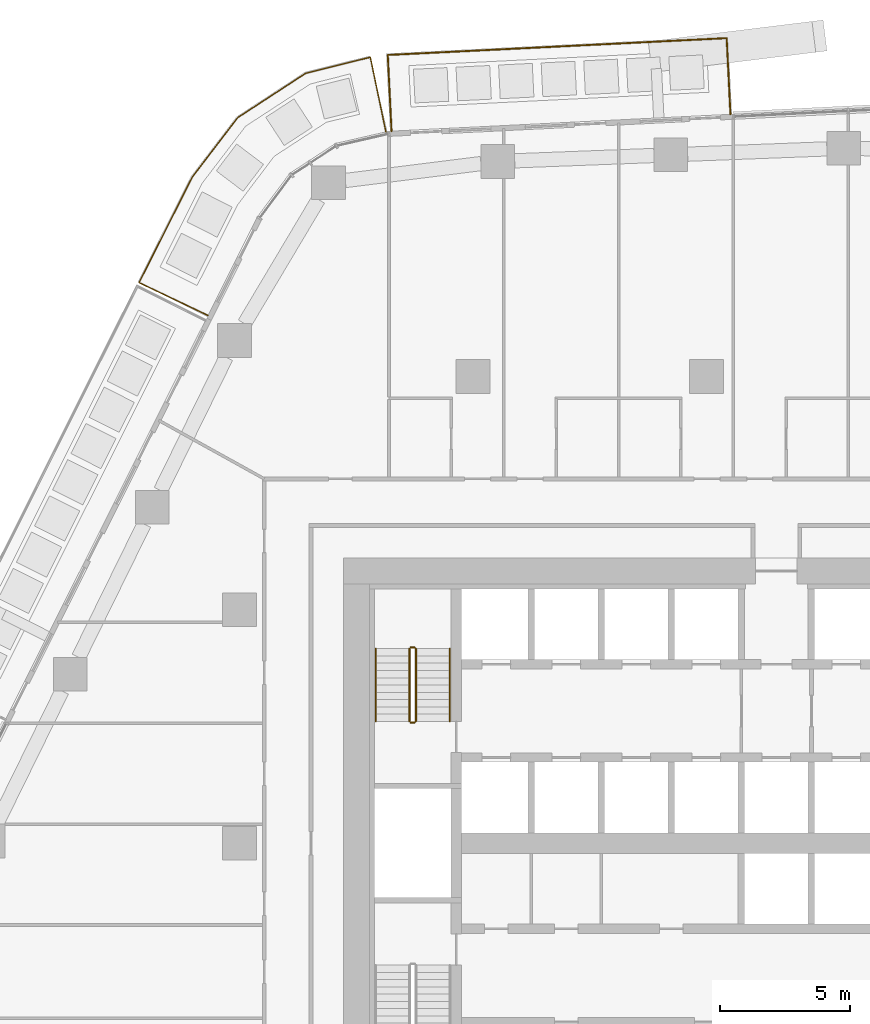
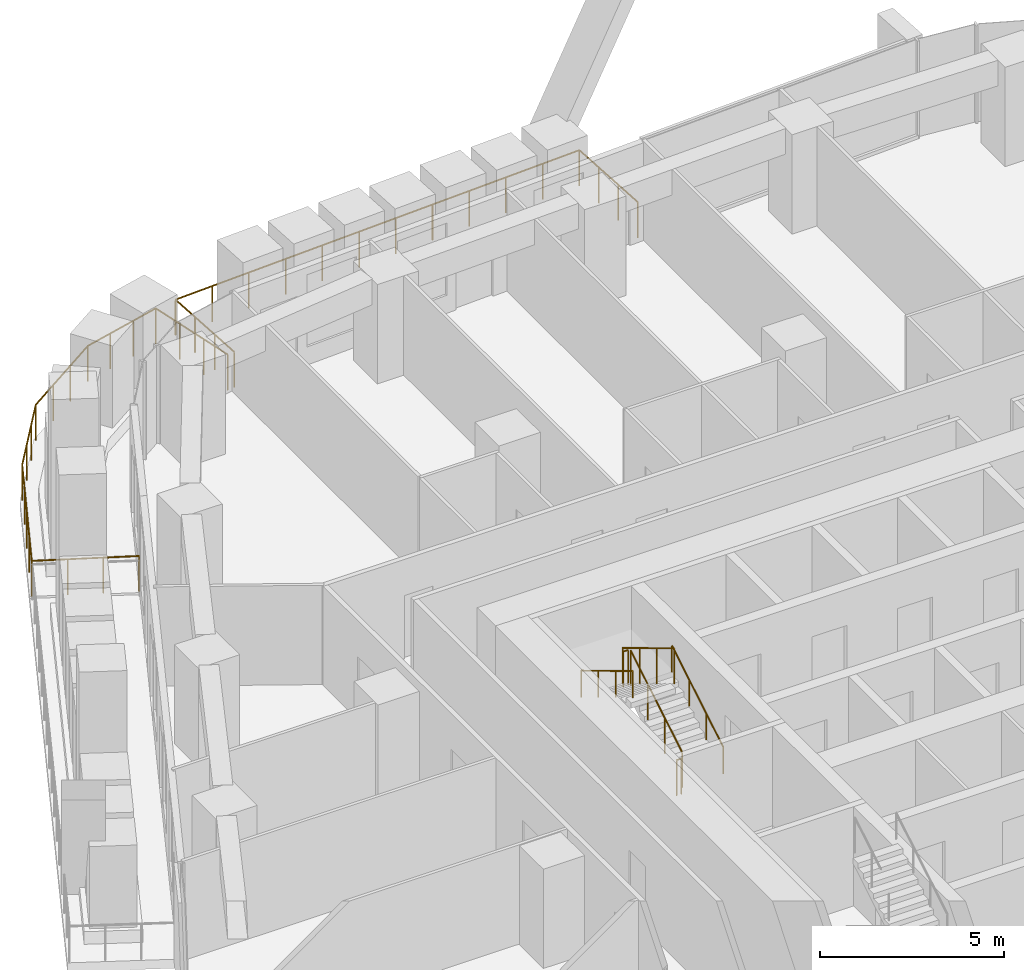
# One storey, part 23 of 25: 8 railings.
"""IFC4 building model written with IfcOpenShell, lengths in metres."""

from ifc_helpers import new_model, si_unit, direction, frame, origin, origin_2d, place, context, subcontext, project, spatial, circle, extrude, material, type_object, element, save


model = new_model("IFC4")

# Units and contexts
model_context = context("Model", 3, precision=1e-05, world=origin(), true_north=direction((0.0, 1.0)))
body_context = subcontext(model_context, "Body", "Model", "MODEL_VIEW")
ifc_project = project(units=[si_unit("LENGTHUNIT", "METRE"), si_unit("AREAUNIT", "SQUARE_METRE"), si_unit("VOLUMEUNIT", "CUBIC_METRE"), si_unit("PLANEANGLEUNIT", "RADIAN"), si_unit("MASSUNIT", "GRAM", prefix="KILO")], contexts=[model_context])

# Site, building, storey
site_placement = place(None, origin())
site = spatial("IfcSite", under=ifc_project, at=site_placement, CompositionType="ELEMENT")
building_placement = place(site_placement, origin())
building = spatial("IfcBuilding", under=site, at=building_placement, Name="Dongbaek Canopy Tower", CompositionType="ELEMENT")
storey_placement = place(building_placement, frame((0.0, 0.0, 102.60009765625)))
storey = spatial("IfcBuildingStorey", under=building, at=storey_placement, Name="L21", CompositionType="ELEMENT", Elevation=102.60009765625)

# Railings
ifc_material_1 = material(Name="Stainless steel", Category="steel")
railing_type_1 = type_object("IfcRailingType", Name="Balcony balustrade 1200", PredefinedType="BALUSTRADE", material=ifc_material_1)
railing_1_placement = place(storey_placement, frame((0.927490234375, 28.10693359375, 0.0)))
element("IfcRailing", 1, at=railing_1_placement, inside=storey, type_object=railing_type_1, Name="Balcony guard L21 2", PredefinedType="BALUSTRADE", context=body_context, shape_type="SweptSolid", body=[
    extrude(circle(Radius=0.02392578125, at=origin_2d()), frame((0.0, 0.0, 1.17578125), z_axis=(-0.049573161416, 0.998770494992, 0.0), x_axis=(-0.998770494992, -0.049573161416, 0.0)), (0.0, 0.0, 1.0), 2.940185546875),
    extrude(circle(Radius=0.02392578125, at=origin_2d()), frame((-0.145751953125, 2.9365234375, 1.17578125), z_axis=(-0.998772357808, -0.049535616267, 0.0), x_axis=(0.049535616267, -0.998772357808, 0.0)), (0.0, 0.0, 1.0), 13.08544921875),
    extrude(circle(Radius=0.02392578125, at=origin_2d()), frame((-13.215087890625, 2.288330078125, 1.17578125), z_axis=(0.049490327847, -0.998774602926, 0.0), x_axis=(0.998774602926, 0.049490327847, 0.0)), (0.0, 0.0, 1.0), 2.940185546875),
    extrude(circle(Radius=0.02099609375, at=origin_2d()), origin(), (0.0, 0.0, 1.0), 1.15185546875),
    extrude(circle(Radius=0.02099609375, at=origin_2d()), frame((-0.048583984375, 0.978759765625, 0.0)), (0.0, 0.0, 1.0), 1.15185546875),
    extrude(circle(Radius=0.02099609375, at=origin_2d()), frame((-0.09716796875, 1.957763671875, 0.0)), (0.0, 0.0, 1.0), 1.15185546875),
    extrude(circle(Radius=0.02099609375, at=origin_2d()), frame((-0.145751953125, 2.9365234375, 0.0)), (0.0, 0.0, 1.0), 1.15185546875),
    extrude(circle(Radius=0.02099609375, at=origin_2d()), frame((-1.333984375, 2.877685546875, 0.0)), (0.0, 0.0, 1.0), 1.15185546875),
    extrude(circle(Radius=0.02099609375, at=origin_2d()), frame((-2.52197265625, 2.818603515625, 0.0)), (0.0, 0.0, 1.0), 1.15185546875),
    extrude(circle(Radius=0.02099609375, at=origin_2d()), frame((-3.710205078125, 2.759765625, 0.0)), (0.0, 0.0, 1.0), 1.15185546875),
    extrude(circle(Radius=0.02099609375, at=origin_2d()), frame((-4.898193359375, 2.700927734375, 0.0)), (0.0, 0.0, 1.0), 1.15185546875),
    extrude(circle(Radius=0.02099609375, at=origin_2d()), frame((-6.08642578125, 2.641845703125, 0.0)), (0.0, 0.0, 1.0), 1.15185546875),
    extrude(circle(Radius=0.02099609375, at=origin_2d()), frame((-7.2744140625, 2.5830078125, 0.0)), (0.0, 0.0, 1.0), 1.15185546875),
    extrude(circle(Radius=0.02099609375, at=origin_2d()), frame((-8.462646484375, 2.52392578125, 0.0)), (0.0, 0.0, 1.0), 1.15185546875),
    extrude(circle(Radius=0.02099609375, at=origin_2d()), frame((-9.650634765625, 2.465087890625, 0.0)), (0.0, 0.0, 1.0), 1.15185546875),
    extrude(circle(Radius=0.02099609375, at=origin_2d()), frame((-10.8388671875, 2.40625, 0.0)), (0.0, 0.0, 1.0), 1.15185546875),
    extrude(circle(Radius=0.02099609375, at=origin_2d()), frame((-12.02685546875, 2.34716796875, 0.0)), (0.0, 0.0, 1.0), 1.15185546875),
    extrude(circle(Radius=0.02099609375, at=origin_2d()), frame((-13.215087890625, 2.288330078125, 0.0)), (0.0, 0.0, 1.0), 1.15185546875),
    extrude(circle(Radius=0.02099609375, at=origin_2d()), frame((-13.16650390625, 1.3095703125, 0.0)), (0.0, 0.0, 1.0), 1.15185546875),
    extrude(circle(Radius=0.02099609375, at=origin_2d()), frame((-13.1181640625, 0.33056640625, 0.0)), (0.0, 0.0, 1.0), 1.15185546875),
    extrude(circle(Radius=0.02099609375, at=origin_2d()), frame((-13.069580078125, -0.648193359375, 0.0)), (0.0, 0.0, 1.0), 1.15185546875),
])
railing_2_placement = place(storey_placement, frame((-12.359130859375, 27.4287109375, 0.0)))
element("IfcRailing", 2, at=railing_2_placement, inside=storey, type_object=railing_type_1, Name="Balcony guard L21 7", PredefinedType="BALUSTRADE", context=body_context, shape_type="SweptSolid", body=[
    extrude(circle(Radius=0.02392578125, at=origin_2d()), frame((0.0, 0.0, 1.17578125), z_axis=(-0.203821636355, 0.979008039065, 0.0), x_axis=(-0.979008039065, -0.203821636355, 0.0)), (0.0, 0.0, 1.0), 2.940673828125),
    extrude(circle(Radius=0.02392578125, at=origin_2d()), frame((-0.599365234375, 2.87890625, 1.17578125), z_axis=(-0.970527127867, -0.240991896282, 0.0), x_axis=(0.240991896282, -0.970527127867, 0.0)), (0.0, 0.0, 1.0), 2.568115234375),
    extrude(circle(Radius=0.02392578125, at=origin_2d()), frame((-3.091796875, 2.260009765625, 1.17578125), z_axis=(-0.837559434191, -0.546346221912, 0.0), x_axis=(0.546346221912, -0.837559434191, 0.0)), (0.0, 0.0, 1.0), 3.133056640625),
    extrude(circle(Radius=0.02392578125, at=origin_2d()), frame((-5.7158203125, 0.54833984375, 1.17578125), z_axis=(-0.607172847411, -0.79456977879, 0.0), x_axis=(0.79456977879, -0.607172847411, 0.0)), (0.0, 0.0, 1.0), 2.87646484375),
    extrude(circle(Radius=0.02392578125, at=origin_2d()), frame((-7.46240234375, -1.7373046875, 1.17578125), z_axis=(-0.450184545621, -0.892935537922, 0.0), x_axis=(0.892935537922, -0.450184545621, 0.0)), (0.0, 0.0, 1.0), 4.565185546875),
    extrude(circle(Radius=0.02392578125, at=origin_2d()), frame((-9.517578125, -5.813720703125, 1.17578125), z_axis=(0.90303845694, -0.429559710969, 0.0), x_axis=(0.429559710969, 0.90303845694, 0.0)), (0.0, 0.0, 1.0), 2.940673828125),
    extrude(circle(Radius=0.02099609375, at=origin_2d()), origin(), (0.0, 0.0, 1.0), 1.15185546875),
    extrude(circle(Radius=0.02099609375, at=origin_2d()), frame((-0.19970703125, 0.959716796875, 0.0)), (0.0, 0.0, 1.0), 1.15185546875),
    extrude(circle(Radius=0.02099609375, at=origin_2d()), frame((-0.399658203125, 1.919189453125, 0.0)), (0.0, 0.0, 1.0), 1.15185546875),
    extrude(circle(Radius=0.02099609375, at=origin_2d()), frame((-0.599365234375, 2.87890625, 0.0)), (0.0, 0.0, 1.0), 1.15185546875),
    extrude(circle(Radius=0.02099609375, at=origin_2d()), frame((-1.43017578125, 2.672607421875, 0.0)), (0.0, 0.0, 1.0), 1.15185546875),
    extrude(circle(Radius=0.02099609375, at=origin_2d()), frame((-2.260986328125, 2.46630859375, 0.0)), (0.0, 0.0, 1.0), 1.15185546875),
    extrude(circle(Radius=0.02099609375, at=origin_2d()), frame((-3.091796875, 2.260009765625, 0.0)), (0.0, 0.0, 1.0), 1.15185546875),
    extrude(circle(Radius=0.02099609375, at=origin_2d()), frame((-3.966552734375, 1.689453125, 0.0)), (0.0, 0.0, 1.0), 1.15185546875),
    extrude(circle(Radius=0.02099609375, at=origin_2d()), frame((-4.841064453125, 1.118896484375, 0.0)), (0.0, 0.0, 1.0), 1.15185546875),
    extrude(circle(Radius=0.02099609375, at=origin_2d()), frame((-5.7158203125, 0.54833984375, 0.0)), (0.0, 0.0, 1.0), 1.15185546875),
    extrude(circle(Radius=0.02099609375, at=origin_2d()), frame((-6.298095703125, -0.213623046875, 0.0)), (0.0, 0.0, 1.0), 1.15185546875),
    extrude(circle(Radius=0.02099609375, at=origin_2d()), frame((-6.880126953125, -0.975341796875, 0.0)), (0.0, 0.0, 1.0), 1.15185546875),
    extrude(circle(Radius=0.02099609375, at=origin_2d()), frame((-7.46240234375, -1.7373046875, 0.0)), (0.0, 0.0, 1.0), 1.15185546875),
    extrude(circle(Radius=0.02099609375, at=origin_2d()), frame((-7.97607421875, -2.75634765625, 0.0)), (0.0, 0.0, 1.0), 1.15185546875),
    extrude(circle(Radius=0.02099609375, at=origin_2d()), frame((-8.489990234375, -3.775390625, 0.0)), (0.0, 0.0, 1.0), 1.15185546875),
    extrude(circle(Radius=0.02099609375, at=origin_2d()), frame((-9.00390625, -4.794677734375, 0.0)), (0.0, 0.0, 1.0), 1.15185546875),
    extrude(circle(Radius=0.02099609375, at=origin_2d()), frame((-9.517578125, -5.813720703125, 0.0)), (0.0, 0.0, 1.0), 1.15185546875),
    extrude(circle(Radius=0.02099609375, at=origin_2d()), frame((-8.63232421875, -6.23486328125, 0.0)), (0.0, 0.0, 1.0), 1.15185546875),
    extrude(circle(Radius=0.02099609375, at=origin_2d()), frame((-7.747314453125, -6.65576171875, 0.0)), (0.0, 0.0, 1.0), 1.15185546875),
    extrude(circle(Radius=0.02099609375, at=origin_2d()), frame((-6.862060546875, -7.076904296875, 0.0)), (0.0, 0.0, 1.0), 1.15185546875),
])
ifc_material_2 = material(Name="Stainless steel tube and balusters", Category="steel")
railing_type_2 = type_object("IfcRailingType", Name="Stair guard 1200", PredefinedType="GUARDRAIL", material=ifc_material_2)
railing_3_placement = place(storey_placement, frame((-11.199951171875, 4.699951171875, 0.16796875)))
element("IfcRailing", 3, at=railing_3_placement, inside=storey, type_object=railing_type_2, Name="L21 ST-C stair guard 1", PredefinedType="GUARDRAIL", context=body_context, shape_type="SweptSolid", body=[
    extrude(circle(Radius=0.02392578125, at=origin_2d()), frame((0.0, 0.0, 1.17578125), z_axis=(0.0, 0.857242210791, 0.514913383045), x_axis=(-1.0, 0.0, 0.0)), (0.0, 0.0, 1.0), 3.266357421875),
    extrude(circle(Radius=0.02099609375, at=origin_2d()), origin(), (0.0, 0.0, 1.0), 1.15185546875),
    extrude(circle(Radius=0.02099609375, at=origin_2d()), frame((0.0, 0.933349609375, 0.560546875)), (0.0, 0.0, 1.0), 1.15185546875),
    extrude(circle(Radius=0.02099609375, at=origin_2d()), frame((0.0, 1.86669921875, 1.121337890625)), (0.0, 0.0, 1.0), 1.15185546875),
    extrude(circle(Radius=0.02099609375, at=origin_2d()), frame((0.0, 2.800048828125, 1.681884765625)), (0.0, 0.0, 1.0), 1.15185546875),
])
railing_4_placement = place(storey_placement, frame((-11.25, 7.550048828125, 1.849853515625)))
element("IfcRailing", 4, at=railing_4_placement, inside=storey, type_object=railing_type_2, Name="L21 ST-C stair guard 2", PredefinedType="GUARDRAIL", context=body_context, shape_type="SweptSolid", body=[
    extrude(circle(Radius=0.02392578125, at=origin_2d()), frame((0.0, 0.0, 1.17578125), z_axis=(-1.0, 0.0, 0.0), x_axis=(0.0, -1.0, 0.0)), (0.0, 0.0, 1.0), 0.14990234375),
    extrude(circle(Radius=0.02099609375, at=origin_2d()), origin(), (0.0, 0.0, 1.0), 1.15185546875),
    extrude(circle(Radius=0.02099609375, at=origin_2d()), frame((-0.14990234375, 0.0, 0.0)), (0.0, 0.0, 1.0), 1.15185546875),
])
railing_5_placement = place(storey_placement, frame((-11.449951171875, 7.5, 2.01806640625)))
element("IfcRailing", 5, at=railing_5_placement, inside=storey, type_object=railing_type_2, Name="L21 ST-C stair guard 3", PredefinedType="GUARDRAIL", context=body_context, shape_type="SweptSolid", body=[
    extrude(circle(Radius=0.02392578125, at=origin_2d()), frame((0.0, 0.0, 1.17578125), z_axis=(0.0, -0.857242210791, 0.514913383045), x_axis=(1.0, 0.0, 0.0)), (0.0, 0.0, 1.0), 3.266357421875),
    extrude(circle(Radius=0.02099609375, at=origin_2d()), origin(), (0.0, 0.0, 1.0), 1.15185546875),
    extrude(circle(Radius=0.02099609375, at=origin_2d()), frame((0.0, -0.933349609375, 0.560546875)), (0.0, 0.0, 1.0), 1.15185546875),
    extrude(circle(Radius=0.02099609375, at=origin_2d()), frame((0.0, -1.86669921875, 1.121337890625)), (0.0, 0.0, 1.0), 1.15185546875),
    extrude(circle(Radius=0.02099609375, at=origin_2d()), frame((0.0, -2.800048828125, 1.681884765625)), (0.0, 0.0, 1.0), 1.15185546875),
])
railing_6_placement = place(storey_placement, frame((-11.25, 4.64990234375, 0.0)))
element("IfcRailing", 6, at=railing_6_placement, inside=storey, type_object=railing_type_2, Name="L21 ST-C stair guard 4", PredefinedType="GUARDRAIL", context=body_context, shape_type="SweptSolid", body=[
    extrude(circle(Radius=0.02392578125, at=origin_2d()), frame((0.0, 0.0, 1.17578125), z_axis=(-1.0, 0.0, 0.0), x_axis=(0.0, -1.0, 0.0)), (0.0, 0.0, 1.0), 0.14990234375),
    extrude(circle(Radius=0.02099609375, at=origin_2d()), origin(), (0.0, 0.0, 1.0), 1.15185546875),
    extrude(circle(Radius=0.02099609375, at=origin_2d()), frame((-0.14990234375, 0.0, 0.0)), (0.0, 0.0, 1.0), 1.15185546875),
])
ifc_material_3 = material(Name="Stainless steel tube", Category="steel")
railing_type_3 = type_object("IfcRailingType", Name="Stair handrail 900", PredefinedType="HANDRAIL", material=ifc_material_3)
railing_7_placement = place(storey_placement, frame((-9.89990234375, 4.699951171875, 0.16796875)))
element("IfcRailing", 7, at=railing_7_placement, inside=storey, type_object=railing_type_3, Name="L21 ST-C stair handrail 1", PredefinedType="HANDRAIL", context=body_context, shape_type="SweptSolid", body=[
    extrude(circle(Radius=0.02392578125, at=origin_2d()), frame((0.0, 0.0, 0.8759765625), z_axis=(0.0, 0.857242210791, 0.514913383045), x_axis=(-1.0, 0.0, 0.0)), (0.0, 0.0, 1.0), 3.266357421875),
    extrude(circle(Radius=0.02099609375, at=origin_2d()), origin(), (0.0, 0.0, 1.0), 0.851806640625),
    extrude(circle(Radius=0.02099609375, at=origin_2d()), frame((0.0, 0.933349609375, 0.560546875)), (0.0, 0.0, 1.0), 0.851806640625),
    extrude(circle(Radius=0.02099609375, at=origin_2d()), frame((0.0, 1.86669921875, 1.121337890625)), (0.0, 0.0, 1.0), 0.851806640625),
    extrude(circle(Radius=0.02099609375, at=origin_2d()), frame((0.0, 2.800048828125, 1.681884765625)), (0.0, 0.0, 1.0), 0.851806640625),
])
railing_8_placement = place(storey_placement, frame((-12.75, 7.5, 2.01806640625)))
element("IfcRailing", 8, at=railing_8_placement, inside=storey, type_object=railing_type_3, Name="L21 ST-C stair handrail 2", PredefinedType="HANDRAIL", context=body_context, shape_type="SweptSolid", body=[
    extrude(circle(Radius=0.02392578125, at=origin_2d()), frame((0.0, 0.0, 0.8759765625), z_axis=(0.0, -0.857242210791, 0.514913383045), x_axis=(1.0, 0.0, 0.0)), (0.0, 0.0, 1.0), 3.266357421875),
    extrude(circle(Radius=0.02099609375, at=origin_2d()), origin(), (0.0, 0.0, 1.0), 0.851806640625),
    extrude(circle(Radius=0.02099609375, at=origin_2d()), frame((0.0, -0.933349609375, 0.560546875)), (0.0, 0.0, 1.0), 0.851806640625),
    extrude(circle(Radius=0.02099609375, at=origin_2d()), frame((0.0, -1.86669921875, 1.121337890625)), (0.0, 0.0, 1.0), 0.851806640625),
    extrude(circle(Radius=0.02099609375, at=origin_2d()), frame((0.0, -2.800048828125, 1.681884765625)), (0.0, 0.0, 1.0), 0.851806640625),
])

save(model, "model.ifc")
